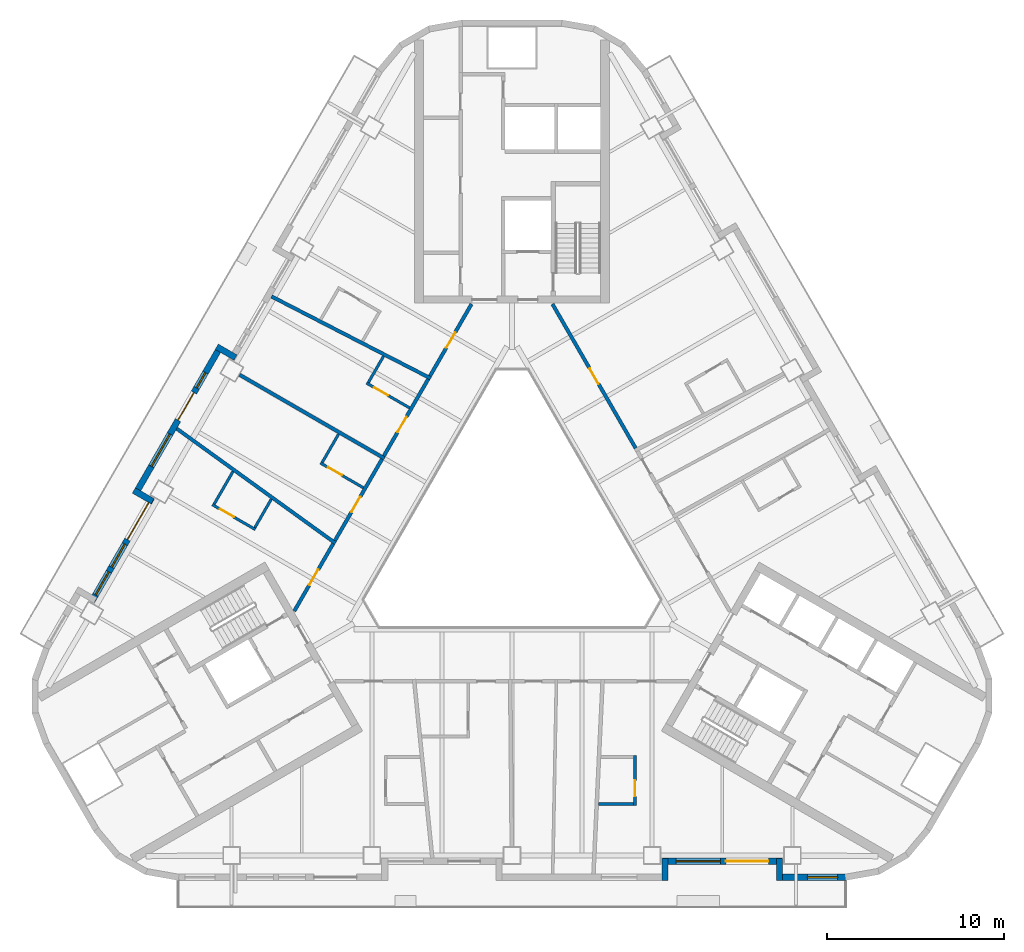
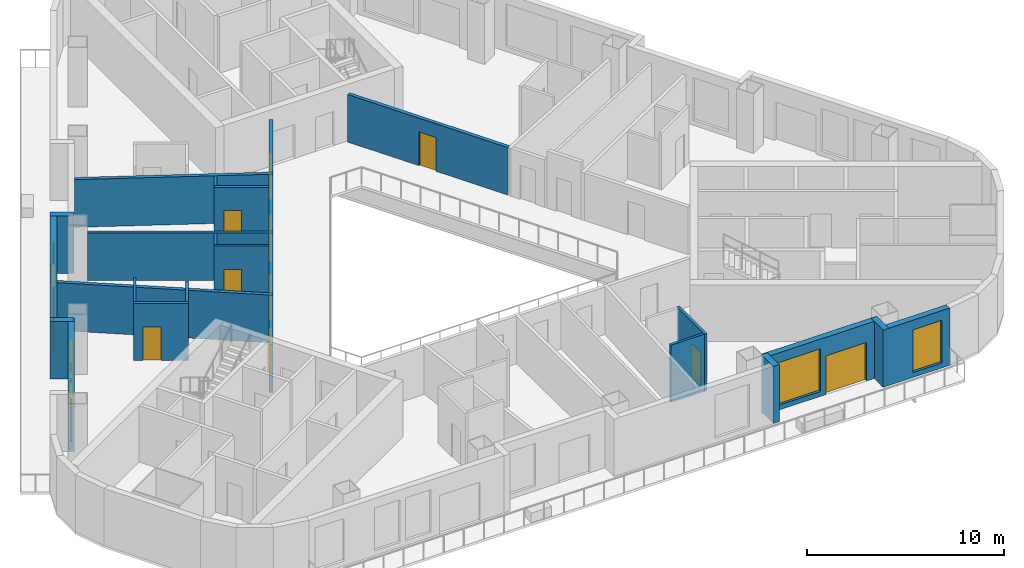
# One storey, part 4 of 14: 25 walls, 12 doors, 6 windows, 18 openings.
"""IFC4 building model written with IfcOpenShell, lengths in metres."""

from ifc_helpers import new_model, si_unit, direction, frame, frame_2d, origin, place, context, subcontext, project, spatial, rectangle, extrude, material, layer, layer_set, type_object, element, fill, save


model = new_model("IFC4")

# Units and contexts
model_context = context("Model", 3, precision=1e-05, world=origin(), true_north=direction((0.0, 1.0)))
body_context = subcontext(model_context, "Body", "Model", "MODEL_VIEW")
ifc_project = project(units=[si_unit("LENGTHUNIT", "METRE"), si_unit("AREAUNIT", "SQUARE_METRE"), si_unit("VOLUMEUNIT", "CUBIC_METRE"), si_unit("PLANEANGLEUNIT", "RADIAN"), si_unit("MASSUNIT", "GRAM", prefix="KILO")], contexts=[model_context])

# Site, building, storey
site_placement = place(None, origin())
site = spatial("IfcSite", under=ifc_project, at=site_placement, CompositionType="ELEMENT")
building_placement = place(site_placement, origin())
building = spatial("IfcBuilding", under=site, at=building_placement, Name="Apuvela Tower Hotel", CompositionType="ELEMENT")
storey_placement = place(building_placement, frame((0.0, 0.0, 72.39990234375)))
storey = spatial("IfcBuildingStorey", under=building, at=storey_placement, Name="L15", CompositionType="ELEMENT", Elevation=72.39990234375)

# Wall
ifc_material_1 = material(Name="Concrete C40/50, dark pigmented precast panel", Category="concrete")
ifc_layer_1 = layer(ifc_material_1, 0.35009765625)
ifc_layer_set_1 = layer_set([ifc_layer_1], Name="ENV-WALL-350")
wall_type_1 = type_object("IfcWallType", Name="ENV-WALL-350", PredefinedType="SOLIDWALL", material=ifc_layer_set_1)
wall_1_placement = place(storey_placement, frame((-15.580810546875, 9.8330078125, 0.0), z_axis=(0.0, 0.0, 1.0), x_axis=(-0.866055662726, 0.499947586314, 0.0)))
element("IfcWall", 1, at=wall_1_placement, inside=storey, type_object=wall_type_1, Name="External wall L15-04", PredefinedType="SOLIDWALL", context=body_context, shape_type="SweptSolid", body=[
    extrude(rectangle(XDim=1.220458984375, YDim=0.35009765625, at=frame_2d((0.6103515625, 0.0))), origin(), (0.0, 0.0, 1.0), 3.550048828125),
])

# Wall, openings, door, windows
wall_2_placement = place(storey_placement, frame((-16.3984375, 10.507080078125, 0.0), z_axis=(0.0, 0.0, 1.0), x_axis=(-0.499999142773, -0.866025898704, 0.0)))
wall_2 = element("IfcWall", 2, at=wall_2_placement, inside=storey, type_object=wall_type_1, Name="External wall L15-05", PredefinedType="SOLIDWALL", context=body_context, shape_type="SweptSolid", body=[
    extrude(rectangle(XDim=9.7001953125, YDim=0.35009765625, at=frame_2d((4.85009765625, 0.0))), origin(), (0.0, 0.0, 1.0), 3.550048828125),
])
opening_1_placement = place(wall_2_placement, frame((3.05126953125, 0.0, 0.0)))
opening_1 = element("IfcOpeningElement", 3, at=opening_1_placement, cuts=wall_2, Name="Opening BD18", PredefinedType="OPENING", context=body_context, shape_type="SweptSolid", body=[
    extrude(rectangle(XDim=1.800048828125, YDim=2.39990234375, at=frame_2d((0.89990234375, 1.199951171875))), frame((0.0, 0.18505859375, 0.0), z_axis=(0.0, -1.0, 0.0), x_axis=(1.0, 0.0, 0.0)), (0.0, 0.0, 1.0), 0.3701171875),
])
opening_2_placement = place(wall_2_placement, frame((1.750244140625, 0.0, 0.300048828125)))
opening_2 = element("IfcOpeningElement", 4, at=opening_2_placement, cuts=wall_2, Name="Opening WN10", PredefinedType="OPENING", context=body_context, shape_type="SweptSolid", body=[
    extrude(rectangle(XDim=1.0, YDim=2.64990234375, at=frame_2d((0.5, 1.324951171875))), frame((0.0, 0.18505859375, 0.0), z_axis=(0.0, -1.0, 0.0), x_axis=(1.0, 0.0, 0.0)), (0.0, 0.0, 1.0), 0.3701171875),
])
opening_3_placement = place(wall_2_placement, frame((5.7509765625, 0.0, 0.300048828125)))
opening_3 = element("IfcOpeningElement", 5, at=opening_3_placement, cuts=wall_2, Name="Opening WN21", PredefinedType="OPENING", context=body_context, shape_type="SweptSolid", body=[
    extrude(rectangle(XDim=2.10009765625, YDim=2.64990234375, at=frame_2d((1.050048828125, 1.324951171875))), frame((0.0, 0.18505859375, 0.0), z_axis=(0.0, -1.0, 0.0), x_axis=(1.0, 0.0, 0.0)), (0.0, 0.0, 1.0), 0.3701171875),
])
ifc_material_2 = material(Name="Aluminium 6063-T6, dark bronze anodised frame with dark tinted laminated glass", Category="aluminium")
door_type_1 = type_object("IfcDoorType", Name="ENV-DOOR-BALCONY-1800x2400", OperationType="SLIDING_TO_LEFT", PredefinedType="DOOR", material=ifc_material_2)
door_1_placement = place(opening_1_placement, frame((1.800048828125, 0.0, 0.0), z_axis=(0.0, 0.0, 1.0), x_axis=(-1.0, 0.0, 0.0)))
door_1 = element("IfcDoor", 6, at=door_1_placement, inside=storey, type_object=door_type_1, Name="Balcony door BD18", OperationType="SLIDING_TO_LEFT", OverallHeight=2.39990234375, OverallWidth=1.800048828125, PredefinedType="DOOR", context=body_context, shape_type="SweptSolid", body=[
    extrude(rectangle(XDim=1.800048828125, YDim=2.39990234375, at=frame_2d((0.89990234375, 1.199951171875))), frame((0.0, 0.02490234375, 0.0), z_axis=(0.0, -1.0, 0.0), x_axis=(1.0, 0.0, 0.0)), (0.0, 0.0, 1.0), 0.050048828125),
])
fill(opening_1, door_1)
ifc_material_3 = material(Name="Glass, dark tinted laminated insulated glazing unit", Category="glass")
window_type_1 = type_object("IfcWindowType", Name="ENV-WIN-1000x2650", PartitioningType="SINGLE_PANEL", PredefinedType="WINDOW", material=ifc_material_3)
window_1_placement = place(opening_2_placement, origin())
window_1 = element("IfcWindow", 7, at=window_1_placement, inside=storey, type_object=window_type_1, Name="Window WN10", OverallHeight=2.64990234375, OverallWidth=1.0, PartitioningType="SINGLE_PANEL", PredefinedType="WINDOW", context=body_context, shape_type="SweptSolid", body=[
    extrude(rectangle(XDim=1.0, YDim=2.64990234375, at=frame_2d((0.5, 1.324951171875))), frame((0.0, 0.030029296875, 0.0), z_axis=(0.0, -1.0, 0.0), x_axis=(1.0, 0.0, 0.0)), (0.0, 0.0, 1.0), 0.06005859375),
])
fill(opening_2, window_1)
window_type_2 = type_object("IfcWindowType", Name="ENV-WIN-2100x2650", PartitioningType="SINGLE_PANEL", PredefinedType="WINDOW", material=ifc_material_3)
window_2_placement = place(opening_3_placement, origin())
window_2 = element("IfcWindow", 8, at=window_2_placement, inside=storey, type_object=window_type_2, Name="Window WN21", OverallHeight=2.64990234375, OverallWidth=2.10009765625, PartitioningType="SINGLE_PANEL", PredefinedType="WINDOW", context=body_context, shape_type="SweptSolid", body=[
    extrude(rectangle(XDim=2.10009765625, YDim=2.64990234375, at=frame_2d((1.050048828125, 1.324951171875))), frame((0.0, 0.030029296875, 0.0), z_axis=(0.0, -1.0, 0.0), x_axis=(1.0, 0.0, 0.0)), (0.0, 0.0, 1.0), 0.06005859375),
])
fill(opening_3, window_2)

# Wall
wall_3_placement = place(storey_placement, frame((-21.3125, 2.345703125, 0.0), z_axis=(0.0, 0.0, 1.0), x_axis=(0.866005645448, -0.500034220881, 0.0)))
element("IfcWall", 9, at=wall_3_placement, inside=storey, type_object=wall_type_1, Name="External wall L15-06", PredefinedType="SOLIDWALL", context=body_context, shape_type="SweptSolid", body=[
    extrude(rectangle(XDim=1.22021484375, YDim=0.35009765625, at=frame_2d((0.610107421875, 0.0))), origin(), (0.0, 0.0, 1.0), 3.550048828125),
])

# Wall, openings, door, windows
wall_4_placement = place(storey_placement, frame((-20.30908203125, 1.93359375, 0.0), z_axis=(0.0, 0.0, 1.0), x_axis=(-0.499992114976, -0.866029956157, 0.0)))
wall_4 = element("IfcWall", 10, at=wall_4_placement, inside=storey, type_object=wall_type_1, Name="External wall L15-07", PredefinedType="SOLIDWALL", context=body_context, shape_type="SweptSolid", body=[
    extrude(rectangle(XDim=6.73974609375, YDim=0.35009765625, at=frame_2d((3.369873046875, 0.0))), origin(), (0.0, 0.0, 1.0), 3.550048828125),
])
opening_4_placement = place(wall_4_placement, frame((0.320068359375, 0.0, 0.0)))
opening_4 = element("IfcOpeningElement", 11, at=opening_4_placement, cuts=wall_4, Name="Opening BD24", PredefinedType="OPENING", context=body_context, shape_type="SweptSolid", body=[
    extrude(rectangle(XDim=2.39990234375, YDim=2.39990234375, at=frame_2d((1.199951171875, 1.199951171875))), frame((0.0, 0.18505859375, 0.0), z_axis=(0.0, -1.0, 0.0), x_axis=(1.0, 0.0, 0.0)), (0.0, 0.0, 1.0), 0.3701171875),
])
opening_5_placement = place(wall_4_placement, frame((3.02001953125, 0.0, 0.300048828125)))
opening_5 = element("IfcOpeningElement", 12, at=opening_5_placement, cuts=wall_4, Name="Opening WN15", PredefinedType="OPENING", context=body_context, shape_type="SweptSolid", body=[
    extrude(rectangle(XDim=1.5, YDim=2.64990234375, at=frame_2d((0.75, 1.324951171875))), frame((0.0, 0.18505859375, 0.0), z_axis=(0.0, -1.0, 0.0), x_axis=(1.0, 0.0, 0.0)), (0.0, 0.0, 1.0), 0.3701171875),
])
opening_6_placement = place(wall_4_placement, frame((4.820068359375, 0.0, 0.300048828125)))
opening_6 = element("IfcOpeningElement", 13, at=opening_6_placement, cuts=wall_4, Name="Opening WN15", PredefinedType="OPENING", context=body_context, shape_type="SweptSolid", body=[
    extrude(rectangle(XDim=1.5, YDim=2.64990234375, at=frame_2d((0.75, 1.324951171875))), frame((0.0, 0.18505859375, 0.0), z_axis=(0.0, -1.0, 0.0), x_axis=(1.0, 0.0, 0.0)), (0.0, 0.0, 1.0), 0.3701171875),
])
door_type_2 = type_object("IfcDoorType", Name="ENV-DOOR-BALCONY-2400x2400", OperationType="SLIDING_TO_LEFT", PredefinedType="DOOR", material=ifc_material_2)
door_2_placement = place(opening_4_placement, frame((2.39990234375, 0.0, 0.0), z_axis=(0.0, 0.0, 1.0), x_axis=(-1.0, 0.0, 0.0)))
door_2 = element("IfcDoor", 14, at=door_2_placement, inside=storey, type_object=door_type_2, Name="Balcony door BD24", OperationType="SLIDING_TO_LEFT", OverallHeight=2.39990234375, OverallWidth=2.39990234375, PredefinedType="DOOR", context=body_context, shape_type="SweptSolid", body=[
    extrude(rectangle(XDim=2.39990234375, YDim=2.39990234375, at=frame_2d((1.199951171875, 1.199951171875))), frame((0.0, 0.02490234375, 0.0), z_axis=(0.0, -1.0, 0.0), x_axis=(1.0, 0.0, 0.0)), (0.0, 0.0, 1.0), 0.050048828125),
])
fill(opening_4, door_2)
window_type_3 = type_object("IfcWindowType", Name="ENV-WIN-1500x2650", PartitioningType="SINGLE_PANEL", PredefinedType="WINDOW", material=ifc_material_3)
window_3_placement = place(opening_5_placement, origin())
window_3 = element("IfcWindow", 15, at=window_3_placement, inside=storey, type_object=window_type_3, Name="Window WN15", OverallHeight=2.64990234375, OverallWidth=1.5, PartitioningType="SINGLE_PANEL", PredefinedType="WINDOW", context=body_context, shape_type="SweptSolid", body=[
    extrude(rectangle(XDim=1.5, YDim=2.64990234375, at=frame_2d((0.75, 1.324951171875))), frame((0.0, 0.030029296875, 0.0), z_axis=(0.0, -1.0, 0.0), x_axis=(1.0, 0.0, 0.0)), (0.0, 0.0, 1.0), 0.06005859375),
])
fill(opening_5, window_3)
window_4_placement = place(opening_6_placement, origin())
window_4 = element("IfcWindow", 16, at=window_4_placement, inside=storey, type_object=window_type_3, Name="Window WN15", OverallHeight=2.64990234375, OverallWidth=1.5, PartitioningType="SINGLE_PANEL", PredefinedType="WINDOW", context=body_context, shape_type="SweptSolid", body=[
    extrude(rectangle(XDim=1.5, YDim=2.64990234375, at=frame_2d((0.75, 1.324951171875))), frame((0.0, 0.030029296875, 0.0), z_axis=(0.0, -1.0, 0.0), x_axis=(1.0, 0.0, 0.0)), (0.0, 0.0, 1.0), 0.06005859375),
])
fill(opening_6, window_4)

# Wall
wall_5_placement = place(storey_placement, frame((8.625, -19.6298828125, 0.0), z_axis=(0.0, 0.0, 1.0), x_axis=(0.0, 1.0, 0.0)))
element("IfcWall", 17, at=wall_5_placement, inside=storey, type_object=wall_type_1, Name="External wall L15-22", PredefinedType="SOLIDWALL", context=body_context, shape_type="SweptSolid", body=[
    extrude(rectangle(XDim=1.219970703125, YDim=0.35009765625, at=frame_2d((0.60986328125, 0.0))), origin(), (0.0, 0.0, 1.0), 3.550048828125),
])

# Wall, openings, door, window
wall_6_placement = place(storey_placement, frame((8.47998046875, -18.554931640625, 0.0), z_axis=(0.0, 0.0, 1.0), x_axis=(1.0, 0.0, 0.0)))
wall_6 = element("IfcWall", 18, at=wall_6_placement, inside=storey, type_object=wall_type_1, Name="External wall L15-23", PredefinedType="SOLIDWALL", context=body_context, shape_type="SweptSolid", body=[
    extrude(rectangle(XDim=6.739990234375, YDim=0.35009765625, at=frame_2d((3.3701171875, 0.0))), origin(), (0.0, 0.0, 1.0), 3.550048828125),
])
opening_7_placement = place(wall_6_placement, frame((3.570068359375, 0.0, 0.0)))
opening_7 = element("IfcOpeningElement", 19, at=opening_7_placement, cuts=wall_6, Name="Opening BD24", PredefinedType="OPENING", context=body_context, shape_type="SweptSolid", body=[
    extrude(rectangle(XDim=2.39990234375, YDim=2.39990234375, at=frame_2d((1.199951171875, 1.199951171875))), frame((0.0, 0.18505859375, 0.0), z_axis=(0.0, -1.0, 0.0), x_axis=(1.0, 0.0, 0.0)), (0.0, 0.0, 1.0), 0.3701171875),
])
opening_8_placement = place(wall_6_placement, frame((0.77001953125, 0.0, 0.300048828125)))
opening_8 = element("IfcOpeningElement", 20, at=opening_8_placement, cuts=wall_6, Name="Opening WN25", PredefinedType="OPENING", context=body_context, shape_type="SweptSolid", body=[
    extrude(rectangle(XDim=2.5, YDim=2.64990234375, at=frame_2d((1.25, 1.324951171875))), frame((0.0, 0.18505859375, 0.0), z_axis=(0.0, -1.0, 0.0), x_axis=(1.0, 0.0, 0.0)), (0.0, 0.0, 1.0), 0.3701171875),
])
door_3_placement = place(opening_7_placement, frame((2.39990234375, 0.0, 0.0), z_axis=(0.0, 0.0, 1.0), x_axis=(-1.0, 0.0, 0.0)))
door_3 = element("IfcDoor", 21, at=door_3_placement, inside=storey, type_object=door_type_2, Name="Balcony door BD24", OperationType="SLIDING_TO_LEFT", OverallHeight=2.39990234375, OverallWidth=2.39990234375, PredefinedType="DOOR", context=body_context, shape_type="SweptSolid", body=[
    extrude(rectangle(XDim=2.39990234375, YDim=2.39990234375, at=frame_2d((1.199951171875, 1.199951171875))), frame((0.0, 0.02490234375, 0.0), z_axis=(0.0, -1.0, 0.0), x_axis=(1.0, 0.0, 0.0)), (0.0, 0.0, 1.0), 0.050048828125),
])
fill(opening_7, door_3)
window_type_4 = type_object("IfcWindowType", Name="ENV-WIN-2500x2650", PartitioningType="SINGLE_PANEL", PredefinedType="WINDOW", material=ifc_material_3)
window_5_placement = place(opening_8_placement, origin())
window_5 = element("IfcWindow", 22, at=window_5_placement, inside=storey, type_object=window_type_4, Name="Window WN25", OverallHeight=2.64990234375, OverallWidth=2.5, PartitioningType="SINGLE_PANEL", PredefinedType="WINDOW", context=body_context, shape_type="SweptSolid", body=[
    extrude(rectangle(XDim=2.5, YDim=2.64990234375, at=frame_2d((1.25, 1.324951171875))), frame((0.0, 0.030029296875, 0.0), z_axis=(0.0, -1.0, 0.0), x_axis=(1.0, 0.0, 0.0)), (0.0, 0.0, 1.0), 0.06005859375),
])
fill(opening_8, window_5)

# Wall
wall_7_placement = place(storey_placement, frame((15.074951171875, -18.409912109375, 0.0), z_axis=(0.0, 0.0, 1.0), x_axis=(0.0, -1.0, 0.0)))
element("IfcWall", 23, at=wall_7_placement, inside=storey, type_object=wall_type_1, Name="External wall L15-24", PredefinedType="SOLIDWALL", context=body_context, shape_type="SweptSolid", body=[
    extrude(rectangle(XDim=1.219970703125, YDim=0.35009765625, at=frame_2d((0.60986328125, 0.0))), origin(), (0.0, 0.0, 1.0), 3.550048828125),
])

# Wall, opening, window
wall_8_placement = place(storey_placement, frame((14.89990234375, -19.455078125, 0.0), z_axis=(0.0, 0.0, 1.0), x_axis=(1.0, 0.0, 0.0)))
wall_8 = element("IfcWall", 24, at=wall_8_placement, inside=storey, type_object=wall_type_1, Name="External wall L15-25", PredefinedType="SOLIDWALL", context=body_context, shape_type="SweptSolid", body=[
    extrude(rectangle(XDim=3.916015625, YDim=0.35009765625, at=frame_2d((1.9580078125, 0.0))), origin(), (0.0, 0.0, 1.0), 3.550048828125),
])
opening_9_placement = place(wall_8_placement, frame((1.749755859375, 0.0, 0.300048828125)))
opening_9 = element("IfcOpeningElement", 25, at=opening_9_placement, cuts=wall_8, Name="Opening WN17", PredefinedType="OPENING", context=body_context, shape_type="SweptSolid", body=[
    extrude(rectangle(XDim=1.699951171875, YDim=2.64990234375, at=frame_2d((0.85009765625, 1.324951171875))), frame((0.0, 0.18505859375, 0.0), z_axis=(0.0, -1.0, 0.0), x_axis=(1.0, 0.0, 0.0)), (0.0, 0.0, 1.0), 0.3701171875),
])
window_type_5 = type_object("IfcWindowType", Name="ENV-WIN-1700x2650", PartitioningType="SINGLE_PANEL", PredefinedType="WINDOW", material=ifc_material_3)
window_6_placement = place(opening_9_placement, origin())
window_6 = element("IfcWindow", 26, at=window_6_placement, inside=storey, type_object=window_type_5, Name="Window WN17", OverallHeight=2.64990234375, OverallWidth=1.699951171875, PartitioningType="SINGLE_PANEL", PredefinedType="WINDOW", context=body_context, shape_type="SweptSolid", body=[
    extrude(rectangle(XDim=1.699951171875, YDim=2.64990234375, at=frame_2d((0.85009765625, 1.324951171875))), frame((0.0, 0.030029296875, 0.0), z_axis=(0.0, -1.0, 0.0), x_axis=(1.0, 0.0, 0.0)), (0.0, 0.0, 1.0), 0.06005859375),
])
fill(opening_9, window_6)

# Walls
ifc_material_4 = material(Name="Gypsum board partition on twin steel stud", Category="steel")
ifc_layer_2 = layer(ifc_material_4, 0.199951171875)
ifc_layer_set_2 = layer_set([ifc_layer_2], Name="GST-PW1")
wall_type_2 = type_object("IfcWallType", Name="GST-PW1", PredefinedType="PARTITIONING", material=ifc_layer_set_2)
wall_9_placement = place(storey_placement, frame((-13.555908203125, 13.280517578125, 0.0), z_axis=(0.0, 0.0, 1.0), x_axis=(0.889110909618, -0.457691807223, 0.0)))
element("IfcWall", 27, at=wall_9_placement, inside=storey, type_object=wall_type_2, Name="L15 partition 06", PredefinedType="PARTITIONING", context=body_context, shape_type="SweptSolid", body=[
    extrude(rectangle(XDim=10.091796875, YDim=0.199951171875, at=frame_2d((5.0458984375, 0.0))), origin(), (0.0, 0.0, 1.0), 2.960205078125),
])
wall_10_placement = place(storey_placement, frame((-15.3544921875, 8.864990234375, 0.0), z_axis=(0.0, 0.0, 1.0), x_axis=(0.866018301787, -0.500012300819, 0.0)))
element("IfcWall", 28, at=wall_10_placement, inside=storey, type_object=wall_type_2, Name="L15 partition 07", PredefinedType="PARTITIONING", context=body_context, shape_type="SweptSolid", body=[
    extrude(rectangle(XDim=9.429931640625, YDim=0.199951171875, at=frame_2d((4.71484375, 0.0))), origin(), (0.0, 0.0, 1.0), 2.9501953125),
])
wall_11_placement = place(storey_placement, frame((-18.89697265625, 5.82958984375, 0.0), z_axis=(0.0, 0.0, 1.0), x_axis=(0.810787705843, -0.585340324985, 0.0)))
element("IfcWall", 29, at=wall_11_placement, inside=storey, type_object=wall_type_2, Name="L15 partition 08", PredefinedType="PARTITIONING", context=body_context, shape_type="SweptSolid", body=[
    extrude(rectangle(XDim=11.037109375, YDim=0.199951171875, at=frame_2d((5.5185546875, 0.0))), origin(), (0.0, 0.0, 1.0), 2.960205078125),
])

# Wall, opening, door
ifc_material_5 = material(Name="Gypsum board corridor wall on twin steel stud, acoustic", Category="steel")
ifc_layer_3 = layer(ifc_material_5, 0.199951171875)
ifc_layer_set_3 = layer_set([ifc_layer_3], Name="GST-PW2")
wall_type_3 = type_object("IfcWallType", Name="GST-PW2", PredefinedType="PARTITIONING", material=ifc_layer_set_3)
wall_12_placement = place(storey_placement, frame((2.280517578125, 12.85009765625, 0.0), z_axis=(0.0, 0.0, 1.0), x_axis=(0.499986710104, -0.866033076574, 0.0)))
wall_12 = element("IfcWall", 30, at=wall_12_placement, inside=storey, type_object=wall_type_3, Name="L15 partition 30", PredefinedType="PARTITIONING", context=body_context, shape_type="SweptSolid", body=[
    extrude(rectangle(XDim=9.383544921875, YDim=0.199951171875, at=frame_2d((4.69189453125, 0.0))), origin(), (0.0, 0.0, 1.0), 2.9501953125),
])
opening_10_placement = place(wall_12_placement, frame((4.191650390625, 0.0, 0.0)))
opening_10 = element("IfcOpeningElement", 31, at=opening_10_placement, cuts=wall_12, Name="Opening GD04-14", PredefinedType="OPENING", context=body_context, shape_type="SweptSolid", body=[
    extrude(rectangle(XDim=1.0, YDim=2.10009765625, at=frame_2d((0.5, 1.050048828125))), frame((0.0, 0.10986328125, 0.0), z_axis=(0.0, -1.0, 0.0), x_axis=(1.0, 0.0, 0.0)), (0.0, 0.0, 1.0), 0.219970703125),
])
ifc_material_6 = material(Name="Timber door leaf in steel frame", Category="steel")
door_type_3 = type_object("IfcDoorType", Name="GST-D1", OperationType="NOTDEFINED", PredefinedType="DOOR", material=ifc_material_6)
door_4_placement = place(opening_10_placement, origin())
door_4 = element("IfcDoor", 32, at=door_4_placement, inside=storey, type_object=door_type_3, Name="Door L15-14", OperationType="SINGLE_SWING_RIGHT", OverallHeight=2.10009765625, OverallWidth=1.0, PredefinedType="DOOR", context=body_context, shape_type="SweptSolid", body=[
    extrude(rectangle(XDim=1.0, YDim=2.10009765625, at=frame_2d((0.5, 1.050048828125))), frame((0.0, 0.02490234375, 0.0), z_axis=(0.0, -1.0, 0.0), x_axis=(1.0, 0.0, 0.0)), (0.0, 0.0, 1.0), 0.050048828125),
])
fill(opening_10, door_4)

wall_13_placement = place(storey_placement, frame((-4.6220703125, 8.794189453125, 0.0), z_axis=(0.0, 0.0, 1.0), x_axis=(0.499979668266, 0.866037141998, 0.0)))
wall_13 = element("IfcWall", 33, at=wall_13_placement, inside=storey, type_object=wall_type_3, Name="L15 partition 34", PredefinedType="PARTITIONING", context=body_context, shape_type="SweptSolid", body=[
    extrude(rectangle(XDim=4.683349609375, YDim=0.199951171875, at=frame_2d((2.341796875, 0.0))), origin(), (0.0, 0.0, 1.0), 2.9501953125),
])
opening_11_placement = place(wall_13_placement, frame((1.841552734375, 0.0, 0.0)))
opening_11 = element("IfcOpeningElement", 34, at=opening_11_placement, cuts=wall_13, Name="Opening GD04-16", PredefinedType="OPENING", context=body_context, shape_type="SweptSolid", body=[
    extrude(rectangle(XDim=1.0, YDim=2.10009765625, at=frame_2d((0.5, 1.050048828125))), frame((0.0, 0.10986328125, 0.0), z_axis=(0.0, -1.0, 0.0), x_axis=(1.0, 0.0, 0.0)), (0.0, 0.0, 1.0), 0.219970703125),
])
door_5_placement = place(opening_11_placement, origin())
door_5 = element("IfcDoor", 35, at=door_5_placement, inside=storey, type_object=door_type_3, Name="Door L15-16", OperationType="SINGLE_SWING_LEFT", OverallHeight=2.10009765625, OverallWidth=1.0, PredefinedType="DOOR", context=body_context, shape_type="SweptSolid", body=[
    extrude(rectangle(XDim=1.0, YDim=2.10009765625, at=frame_2d((0.5, 1.050048828125))), frame((0.0, 0.02490234375, 0.0), z_axis=(0.0, -1.0, 0.0), x_axis=(1.0, 0.0, 0.0)), (0.0, 0.0, 1.0), 0.050048828125),
])
fill(opening_11, door_5)

wall_14_placement = place(storey_placement, frame((-7.224609375, 4.28662109375, 0.0), z_axis=(0.0, 0.0, 1.0), x_axis=(0.49997441339, 0.866040175716, 0.0)))
wall_14 = element("IfcWall", 36, at=wall_14_placement, inside=storey, type_object=wall_type_3, Name="L15 partition 38", PredefinedType="PARTITIONING", context=body_context, shape_type="SweptSolid", body=[
    extrude(rectangle(XDim=5.004638671875, YDim=0.199951171875, at=frame_2d((2.50244140625, 0.0))), origin(), (0.0, 0.0, 1.0), 2.9501953125),
])
opening_12_placement = place(wall_14_placement, frame((1.5498046875, 0.0, 0.0)))
opening_12 = element("IfcOpeningElement", 37, at=opening_12_placement, cuts=wall_14, Name="Opening GD04-18", PredefinedType="OPENING", context=body_context, shape_type="SweptSolid", body=[
    extrude(rectangle(XDim=1.0, YDim=2.10009765625, at=frame_2d((0.5, 1.050048828125))), frame((0.0, 0.10986328125, 0.0), z_axis=(0.0, -1.0, 0.0), x_axis=(1.0, 0.0, 0.0)), (0.0, 0.0, 1.0), 0.219970703125),
])
door_6_placement = place(opening_12_placement, origin())
door_6 = element("IfcDoor", 38, at=door_6_placement, inside=storey, type_object=door_type_3, Name="Door L15-18", OperationType="SINGLE_SWING_LEFT", OverallHeight=2.10009765625, OverallWidth=1.0, PredefinedType="DOOR", context=body_context, shape_type="SweptSolid", body=[
    extrude(rectangle(XDim=1.0, YDim=2.10009765625, at=frame_2d((0.5, 1.050048828125))), frame((0.0, 0.02490234375, 0.0), z_axis=(0.0, -1.0, 0.0), x_axis=(1.0, 0.0, 0.0)), (0.0, 0.0, 1.0), 0.050048828125),
])
fill(opening_12, door_6)

wall_15_placement = place(storey_placement, frame((-9.9794921875, -0.48486328125, 0.0), z_axis=(0.0, 0.0, 1.0), x_axis=(0.500006381002, 0.86602171968, 0.0)))
wall_15 = element("IfcWall", 39, at=wall_15_placement, inside=storey, type_object=wall_type_3, Name="L15 partition 41", PredefinedType="PARTITIONING", context=body_context, shape_type="SweptSolid", body=[
    extrude(rectangle(XDim=5.3095703125, YDim=0.199951171875, at=frame_2d((2.65478515625, 0.0))), origin(), (0.0, 0.0, 1.0), 2.9501953125),
])
opening_13_placement = place(wall_15_placement, frame((1.859619140625, 0.0, 0.0)))
opening_13 = element("IfcOpeningElement", 40, at=opening_13_placement, cuts=wall_15, Name="Opening GD04-20", PredefinedType="OPENING", context=body_context, shape_type="SweptSolid", body=[
    extrude(rectangle(XDim=1.0, YDim=2.10009765625, at=frame_2d((0.5, 1.050048828125))), frame((0.0, 0.10986328125, 0.0), z_axis=(0.0, -1.0, 0.0), x_axis=(1.0, 0.0, 0.0)), (0.0, 0.0, 1.0), 0.219970703125),
])
door_7_placement = place(opening_13_placement, origin())
door_7 = element("IfcDoor", 41, at=door_7_placement, inside=storey, type_object=door_type_3, Name="Door L15-20", OperationType="SINGLE_SWING_LEFT", OverallHeight=2.10009765625, OverallWidth=1.0, PredefinedType="DOOR", context=body_context, shape_type="SweptSolid", body=[
    extrude(rectangle(XDim=1.0, YDim=2.10009765625, at=frame_2d((0.5, 1.050048828125))), frame((0.0, 0.02490234375, 0.0), z_axis=(0.0, -1.0, 0.0), x_axis=(1.0, 0.0, 0.0)), (0.0, 0.0, 1.0), 0.050048828125),
])
fill(opening_13, door_7)

wall_16_placement = place(storey_placement, frame((-12.268798828125, -4.449951171875, 0.0), z_axis=(0.0, 0.0, 1.0), x_axis=(0.499996027077, 0.86602769754, 0.0)))
wall_16 = element("IfcWall", 42, at=wall_16_placement, inside=storey, type_object=wall_type_3, Name="L15 partition 44", PredefinedType="PARTITIONING", context=body_context, shape_type="SweptSolid", body=[
    extrude(rectangle(XDim=4.37744140625, YDim=0.199951171875, at=frame_2d((2.188720703125, 0.0))), origin(), (0.0, 0.0, 1.0), 2.9501953125),
])
opening_14_placement = place(wall_16_placement, frame((1.688720703125, 0.0, 0.0)))
opening_14 = element("IfcOpeningElement", 43, at=opening_14_placement, cuts=wall_16, Name="Opening GD04-22", PredefinedType="OPENING", context=body_context, shape_type="SweptSolid", body=[
    extrude(rectangle(XDim=1.0, YDim=2.10009765625, at=frame_2d((0.5, 1.050048828125))), frame((0.0, 0.10986328125, 0.0), z_axis=(0.0, -1.0, 0.0), x_axis=(1.0, 0.0, 0.0)), (0.0, 0.0, 1.0), 0.219970703125),
])
door_8_placement = place(opening_14_placement, origin())
door_8 = element("IfcDoor", 44, at=door_8_placement, inside=storey, type_object=door_type_3, Name="Door L15-22", OperationType="SINGLE_SWING_RIGHT", OverallHeight=2.10009765625, OverallWidth=1.0, PredefinedType="DOOR", context=body_context, shape_type="SweptSolid", body=[
    extrude(rectangle(XDim=1.0, YDim=2.10009765625, at=frame_2d((0.5, 1.050048828125))), frame((0.0, 0.02490234375, 0.0), z_axis=(0.0, -1.0, 0.0), x_axis=(1.0, 0.0, 0.0)), (0.0, 0.0, 1.0), 0.050048828125),
])
fill(opening_14, door_8)

ifc_material_7 = material(Name="Moisture-resistant gypsum board wet wall on steel stud", Category="steel")
ifc_layer_4 = layer(ifc_material_7, 0.14990234375)
ifc_layer_set_4 = layer_set([ifc_layer_4], Name="GST-PW3")
wall_type_4 = type_object("IfcWallType", Name="GST-PW3", PredefinedType="PARTITIONING", material=ifc_layer_set_4)
wall_17_placement = place(storey_placement, frame((6.93115234375, -15.39990234375, 0.0), z_axis=(0.0, 0.0, 1.0), x_axis=(0.0, 1.0, 0.0)))
wall_17 = element("IfcWall", 45, at=wall_17_placement, inside=storey, type_object=wall_type_4, Name="L15 partition 20", PredefinedType="PARTITIONING", context=body_context, shape_type="SweptSolid", body=[
    extrude(rectangle(XDim=2.7998046875, YDim=0.14990234375, at=frame_2d((1.39990234375, 0.0))), origin(), (0.0, 0.0, 1.0), 3.550048828125),
])
opening_15_placement = place(wall_17_placement, frame((0.5, 0.0, 0.0)))
opening_15 = element("IfcOpeningElement", 46, at=opening_15_placement, cuts=wall_17, Name="Opening GD04-07", PredefinedType="OPENING", context=body_context, shape_type="SweptSolid", body=[
    extrude(rectangle(XDim=0.89990234375, YDim=2.10009765625, at=frame_2d((0.449951171875, 1.050048828125))), frame((0.0, 0.0849609375, 0.0), z_axis=(0.0, -1.0, 0.0), x_axis=(1.0, 0.0, 0.0)), (0.0, 0.0, 1.0), 0.169921875),
])
door_type_4 = type_object("IfcDoorType", Name="GST-D2", OperationType="NOTDEFINED", PredefinedType="DOOR", material=ifc_material_6)
door_9_placement = place(opening_15_placement, origin())
door_9 = element("IfcDoor", 47, at=door_9_placement, inside=storey, type_object=door_type_4, Name="Door L15-07", OperationType="SINGLE_SWING_LEFT", OverallHeight=2.10009765625, OverallWidth=0.89990234375, PredefinedType="DOOR", context=body_context, shape_type="SweptSolid", body=[
    extrude(rectangle(XDim=0.89990234375, YDim=2.10009765625, at=frame_2d((0.449951171875, 1.050048828125))), frame((0.0, 0.02490234375, 0.0), z_axis=(0.0, -1.0, 0.0), x_axis=(1.0, 0.0, 0.0)), (0.0, 0.0, 1.0), 0.050048828125),
])
fill(opening_15, door_9)

# Wall
wall_18_placement = place(storey_placement, frame((4.877197265625, -15.324951171875, 0.0), z_axis=(0.0, 0.0, 1.0), x_axis=(1.0, 0.0, 0.0)))
element("IfcWall", 48, at=wall_18_placement, inside=storey, type_object=wall_type_4, Name="L15 partition 21", PredefinedType="PARTITIONING", context=body_context, shape_type="SweptSolid", body=[
    extrude(rectangle(XDim=1.97900390625, YDim=0.14990234375, at=frame_2d((0.989501953125, 0.0))), origin(), (0.0, 0.0, 1.0), 3.550048828125),
])

# Wall, opening, door
wall_19_placement = place(storey_placement, frame((-8.198486328125, 8.3994140625, 0.0), z_axis=(0.0, 0.0, 1.0), x_axis=(0.866034573852, -0.49998411664, 0.0)))
wall_19 = element("IfcWall", 49, at=wall_19_placement, inside=storey, type_object=wall_type_4, Name="L15 partition 39", PredefinedType="PARTITIONING", context=body_context, shape_type="SweptSolid", body=[
    extrude(rectangle(XDim=2.7998046875, YDim=0.14990234375, at=frame_2d((1.39990234375, 0.0))), origin(), (0.0, 0.0, 1.0), 3.550048828125),
])
opening_16_placement = place(wall_19_placement, frame((0.5, 0.0, 0.0)))
opening_16 = element("IfcOpeningElement", 50, at=opening_16_placement, cuts=wall_19, Name="Opening GD04-17", PredefinedType="OPENING", context=body_context, shape_type="SweptSolid", body=[
    extrude(rectangle(XDim=0.89990234375, YDim=2.10009765625, at=frame_2d((0.449951171875, 1.050048828125))), frame((0.0, 0.0849609375, 0.0), z_axis=(0.0, -1.0, 0.0), x_axis=(1.0, 0.0, 0.0)), (0.0, 0.0, 1.0), 0.169921875),
])
door_10_placement = place(opening_16_placement, origin())
door_10 = element("IfcDoor", 51, at=door_10_placement, inside=storey, type_object=door_type_4, Name="Door L15-17", OperationType="SINGLE_SWING_LEFT", OverallHeight=2.10009765625, OverallWidth=0.89990234375, PredefinedType="DOOR", context=body_context, shape_type="SweptSolid", body=[
    extrude(rectangle(XDim=0.89990234375, YDim=2.10009765625, at=frame_2d((0.449951171875, 1.050048828125))), frame((0.0, 0.02490234375, 0.0), z_axis=(0.0, -1.0, 0.0), x_axis=(1.0, 0.0, 0.0)), (0.0, 0.0, 1.0), 0.050048828125),
])
fill(opening_16, door_10)

# Wall
wall_20_placement = place(storey_placement, frame((-7.23681640625, 9.915283203125, 0.0), z_axis=(0.0, 0.0, 1.0), x_axis=(-0.50005036918, -0.865996321171, 0.0)))
element("IfcWall", 52, at=wall_20_placement, inside=storey, type_object=wall_type_4, Name="L15 partition 40", PredefinedType="PARTITIONING", context=body_context, shape_type="SweptSolid", body=[
    extrude(rectangle(XDim=1.718505859375, YDim=0.14990234375, at=frame_2d((0.859375, 0.0))), origin(), (0.0, 0.0, 1.0), 2.9501953125),
])

# Wall, opening, door
wall_21_placement = place(storey_placement, frame((-10.798583984375, 3.896240234375, 0.0), z_axis=(0.0, 0.0, 1.0), x_axis=(0.866034573852, -0.49998411664, 0.0)))
wall_21 = element("IfcWall", 53, at=wall_21_placement, inside=storey, type_object=wall_type_4, Name="L15 partition 42", PredefinedType="PARTITIONING", context=body_context, shape_type="SweptSolid", body=[
    extrude(rectangle(XDim=2.7998046875, YDim=0.14990234375, at=frame_2d((1.39990234375, 0.0))), origin(), (0.0, 0.0, 1.0), 3.550048828125),
])
opening_17_placement = place(wall_21_placement, frame((0.5, 0.0, 0.0)))
opening_17 = element("IfcOpeningElement", 54, at=opening_17_placement, cuts=wall_21, Name="Opening GD04-19", PredefinedType="OPENING", context=body_context, shape_type="SweptSolid", body=[
    extrude(rectangle(XDim=0.89990234375, YDim=2.10009765625, at=frame_2d((0.449951171875, 1.050048828125))), frame((0.0, 0.0849609375, 0.0), z_axis=(0.0, -1.0, 0.0), x_axis=(1.0, 0.0, 0.0)), (0.0, 0.0, 1.0), 0.169921875),
])
door_11_placement = place(opening_17_placement, origin())
door_11 = element("IfcDoor", 55, at=door_11_placement, inside=storey, type_object=door_type_4, Name="Door L15-19", OperationType="SINGLE_SWING_LEFT", OverallHeight=2.10009765625, OverallWidth=0.89990234375, PredefinedType="DOOR", context=body_context, shape_type="SweptSolid", body=[
    extrude(rectangle(XDim=0.89990234375, YDim=2.10009765625, at=frame_2d((0.449951171875, 1.050048828125))), frame((0.0, 0.02490234375, 0.0), z_axis=(0.0, -1.0, 0.0), x_axis=(1.0, 0.0, 0.0)), (0.0, 0.0, 1.0), 0.050048828125),
])
fill(opening_17, door_11)

# Wall
wall_22_placement = place(storey_placement, frame((-9.77099609375, 5.52587890625, 0.0), z_axis=(0.0, 0.0, 1.0), x_axis=(-0.500042316284, -0.866000971088, 0.0)))
element("IfcWall", 56, at=wall_22_placement, inside=storey, type_object=wall_type_4, Name="L15 partition 43", PredefinedType="PARTITIONING", context=body_context, shape_type="SweptSolid", body=[
    extrude(rectangle(XDim=1.849853515625, YDim=0.14990234375, at=frame_2d((0.9248046875, 0.0))), origin(), (0.0, 0.0, 1.0), 2.9501953125),
])

# Wall, opening, door
wall_23_placement = place(storey_placement, frame((-16.890380859375, 1.544921875, 0.0), z_axis=(0.0, 0.0, 1.0), x_axis=(0.866034573852, -0.49998411664, 0.0)))
wall_23 = element("IfcWall", 57, at=wall_23_placement, inside=storey, type_object=wall_type_4, Name="L15 partition 45", PredefinedType="PARTITIONING", context=body_context, shape_type="SweptSolid", body=[
    extrude(rectangle(XDim=2.7998046875, YDim=0.14990234375, at=frame_2d((1.39990234375, 0.0))), origin(), (0.0, 0.0, 1.0), 3.550048828125),
])
opening_18_placement = place(wall_23_placement, frame((0.5, 0.0, 0.0)))
opening_18 = element("IfcOpeningElement", 58, at=opening_18_placement, cuts=wall_23, Name="Opening GD04-21", PredefinedType="OPENING", context=body_context, shape_type="SweptSolid", body=[
    extrude(rectangle(XDim=0.89990234375, YDim=2.10009765625, at=frame_2d((0.449951171875, 1.050048828125))), frame((0.0, 0.0849609375, 0.0), z_axis=(0.0, -1.0, 0.0), x_axis=(1.0, 0.0, 0.0)), (0.0, 0.0, 1.0), 0.169921875),
])
door_12_placement = place(opening_18_placement, origin())
door_12 = element("IfcDoor", 59, at=door_12_placement, inside=storey, type_object=door_type_4, Name="Door L15-21", OperationType="SINGLE_SWING_LEFT", OverallHeight=2.10009765625, OverallWidth=0.89990234375, PredefinedType="DOOR", context=body_context, shape_type="SweptSolid", body=[
    extrude(rectangle(XDim=0.89990234375, YDim=2.10009765625, at=frame_2d((0.449951171875, 1.050048828125))), frame((0.0, 0.02490234375, 0.0), z_axis=(0.0, -1.0, 0.0), x_axis=(1.0, 0.0, 0.0)), (0.0, 0.0, 1.0), 0.050048828125),
])
fill(opening_18, door_12)

# Walls
wall_24_placement = place(storey_placement, frame((-15.723876953125, 3.415283203125, 0.0), z_axis=(0.0, 0.0, 1.0), x_axis=(-0.50001378257, -0.866017446268, 0.0)))
element("IfcWall", 60, at=wall_24_placement, inside=storey, type_object=wall_type_4, Name="L15 partition 46", PredefinedType="PARTITIONING", context=body_context, shape_type="SweptSolid", body=[
    extrude(rectangle(XDim=2.1279296875, YDim=0.14990234375, at=frame_2d((1.06396484375, 0.0))), origin(), (0.0, 0.0, 1.0), 3.550048828125),
])
wall_25_placement = place(storey_placement, frame((-13.564208984375, 1.856201171875, 0.0), z_axis=(0.0, 0.0, 1.0), x_axis=(-0.499984136491, -0.866034562392, 0.0)))
element("IfcWall", 61, at=wall_25_placement, inside=storey, type_object=wall_type_4, Name="L15 partition 47", PredefinedType="PARTITIONING", context=body_context, shape_type="SweptSolid", body=[
    extrude(rectangle(XDim=1.857421875, YDim=0.14990234375, at=frame_2d((0.9287109375, 0.0))), origin(), (0.0, 0.0, 1.0), 3.550048828125),
])

save(model, "model.ifc")
